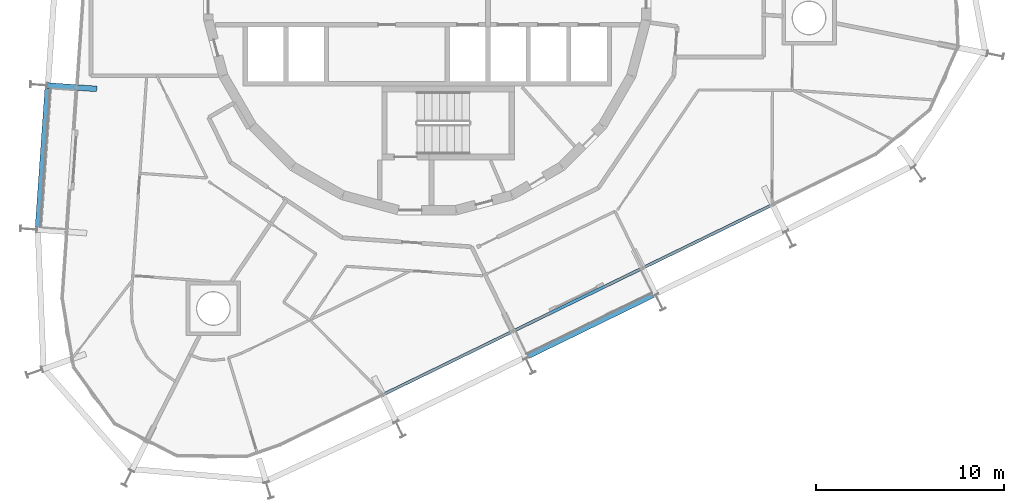
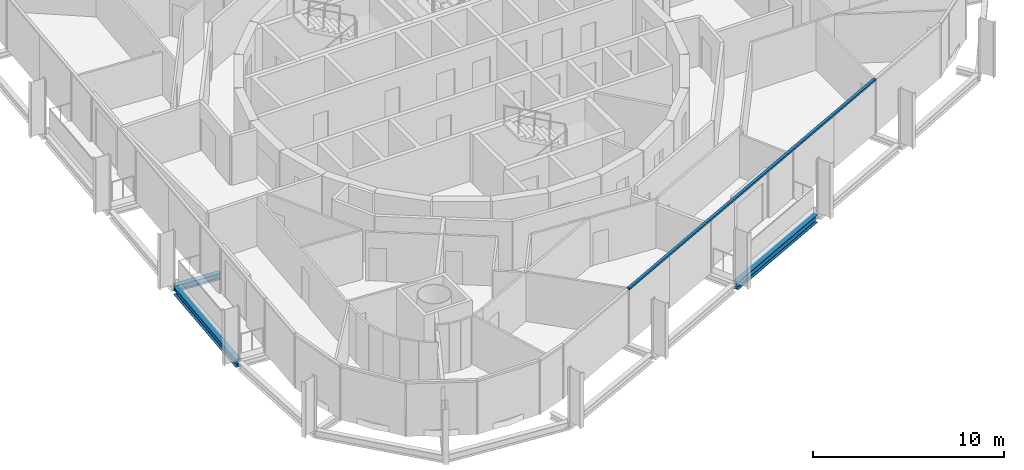
# One storey, part 3 of 17: 3 beams, 1 member, 1 element without a shape of its own.
"""IFC4 building model written with IfcOpenShell, lengths in metres."""

from ifc_helpers import new_model, si_unit, direction, frame, origin, origin_2d, place, context, subcontext, project, spatial, rectangle, i_section, extrude, material, layer, layer_set, material_profile, profile_set, type_object, element, aggregate, save


model = new_model("IFC4")

# Units and contexts
model_context = context("Model", 3, precision=1e-05, world=origin(), true_north=direction((0.0, 1.0)))
body_context = subcontext(model_context, "Body", "Model", "MODEL_VIEW")
ifc_project = project(units=[si_unit("LENGTHUNIT", "METRE"), si_unit("AREAUNIT", "SQUARE_METRE"), si_unit("VOLUMEUNIT", "CUBIC_METRE"), si_unit("PLANEANGLEUNIT", "RADIAN"), si_unit("MASSUNIT", "GRAM", prefix="KILO")], contexts=[model_context])

# Site, building, storey
site_placement = place(None, origin())
site = spatial("IfcSite", under=ifc_project, at=site_placement, CompositionType="ELEMENT")
building_placement = place(site_placement, origin())
building = spatial("IfcBuilding", under=site, at=building_placement, Name="Spindle Arch Residences", CompositionType="ELEMENT")
storey_placement = place(building_placement, frame((0.0, 0.0, 212.89990234375)))
storey = spatial("IfcBuildingStorey", under=building, at=storey_placement, Name="L54", CompositionType="ELEMENT", Elevation=212.89990234375)

# Curtain wall, member
ifc_material_1 = material(Name="Aluminium bronze unitised frame with tinted glass", Category="aluminium")
ifc_layer = layer(ifc_material_1, 0.159912109375)
ifc_layer_set = layer_set([ifc_layer], Name="CW-C typical residential unitised wall")
curtain_wall_type = type_object("IfcCurtainWallType", Name="CW-C typical residential unitised wall", PredefinedType="NOTDEFINED", material=ifc_layer_set)
curtain_wall_placement = place(storey_placement, origin())
curtain_wall = element("IfcCurtainWall", 1, at=curtain_wall_placement, inside=storey, type_object=curtain_wall_type, Name="CW-C L54 run 6", PredefinedType="NOTDEFINED")
ifc_material_2 = material(Name="Aluminium bronze anodised transom", Category="aluminium")
ifc_material_profile_1 = material_profile(ifc_material_2, rectangle(XDim=0.159912109375, YDim=0.1201171875, at=origin_2d()), Name="TR 120x160")
ifc_profile_set_1 = profile_set([ifc_material_profile_1], Name="Aluminium bronze anodised transom")
member_type = type_object("IfcMemberType", Name="Bronze transom 120x160", PredefinedType="USERDEFINED", material=ifc_profile_set_1)
member_placement = place(storey_placement, frame((-2.340576171875, -21.45849609375, 3.06005859375), z_axis=(0.898793313451, 0.438372649347, 0.0), x_axis=(-0.438372649347, 0.898793313451, 0.0)))
member = element("IfcMember", 2, at=member_placement, type_object=member_type, Name="CW-C transom 00", ObjectType="TRANSOM", PredefinedType="USERDEFINED", context=body_context, shape_type="SweptSolid", body=[
    extrude(rectangle(XDim=0.159912109375, YDim=0.1201171875, at=origin_2d()), origin(), (0.0, 0.0, 1.0), 23.02099609375),
])
aggregate(curtain_wall, [member])

# Beams
ifc_material_3 = material(Name="Steel S460ML, intumescent coating R 120", Category="steel")
ifc_material_profile_2 = material_profile(ifc_material_3, i_section(OverallWidth=0.300048828125, OverallDepth=0.5, WebThickness=0.014404296875, FlangeThickness=0.028076171875, FilletRadius=0.027099609375, at=origin_2d()), Name="HEB 500")
ifc_profile_set_2 = profile_set([ifc_material_profile_2], Name="Steel S460ML, intumescent coating R 120")
beam_type_1 = type_object("IfcBeamType", Name="Exoskeleton edge beam HEB 500", PredefinedType="BEAM", material=ifc_profile_set_2)
beam_1_placement = place(storey_placement, frame((-20.198974609375, -5.14501953125, -0.6298828125), z_axis=(-0.069725196579, -0.99756623688, 0.0), x_axis=(0.99756623688, -0.069725196579, 0.0)))
element("IfcBeam", 3, at=beam_1_placement, inside=storey, type_object=beam_type_1, Name="Exoskeleton edge beam 16", PredefinedType="BEAM", context=body_context, shape_type="SweptSolid", body=[
    extrude(i_section(OverallWidth=0.300048828125, OverallDepth=0.5, WebThickness=0.014404296875, FlangeThickness=0.028076171875, FilletRadius=0.027099609375, at=origin_2d()), origin(), (0.0, 0.0, 1.0), 7.43359375),
])
beam_2_placement = place(storey_placement, frame((5.3349609375, -19.417236328125, -0.6298828125), z_axis=(0.898791170385, 0.438377043238, 0.0), x_axis=(-0.438377043238, 0.898791170385, 0.0)))
element("IfcBeam", 4, at=beam_2_placement, inside=storey, type_object=beam_type_1, Name="Exoskeleton edge beam 22", PredefinedType="BEAM", context=body_context, shape_type="SweptSolid", body=[
    extrude(i_section(OverallWidth=0.300048828125, OverallDepth=0.5, WebThickness=0.014404296875, FlangeThickness=0.028076171875, FilletRadius=0.027099609375, at=origin_2d()), origin(), (0.0, 0.0, 1.0), 7.433837890625),
])
ifc_material_4 = material(Name="Steel S460ML, intumescent coating R 120", Category="steel")
ifc_material_profile_3 = material_profile(ifc_material_4, i_section(OverallWidth=0.300048828125, OverallDepth=0.389892578125, WebThickness=0.010986328125, FlangeThickness=0.01904296875, FilletRadius=0.027099609375, at=origin_2d()), Name="HEA 400")
ifc_profile_set_3 = profile_set([ifc_material_profile_3], Name="Steel S460ML, intumescent coating R 120")
beam_type_2 = type_object("IfcBeamType", Name="Floor outrigger HEA 400", PredefinedType="BEAM", material=ifc_profile_set_3)
beam_3_placement = place(storey_placement, frame((-20.229736328125, -5.012451171875, -0.574951171875), z_axis=(0.997565124092, -0.069741115528, 0.0), x_axis=(0.069741115528, 0.997565124092, 0.0)))
element("IfcBeam", 5, at=beam_3_placement, inside=storey, type_object=beam_type_2, Name="Floor outrigger 16", PredefinedType="BEAM", context=body_context, shape_type="SweptSolid", body=[
    extrude(i_section(OverallWidth=0.300048828125, OverallDepth=0.389892578125, WebThickness=0.010986328125, FlangeThickness=0.01904296875, FilletRadius=0.027099609375, at=origin_2d()), origin(), (0.0, 0.0, 1.0), 2.64990234375),
])

save(model, "model.ifc")
